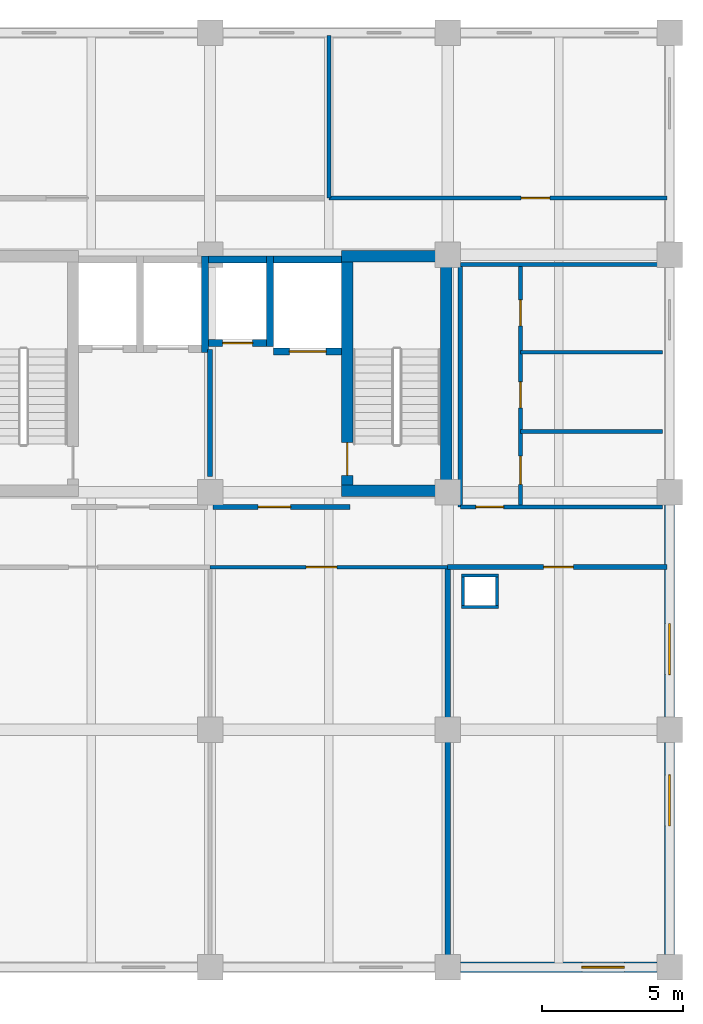
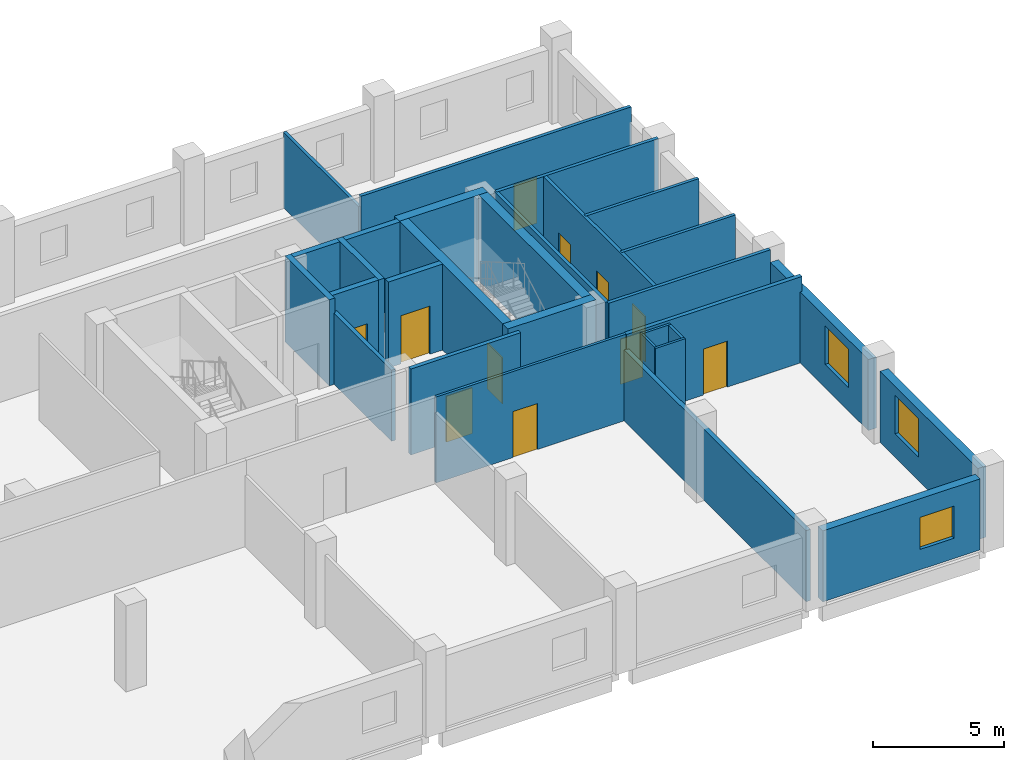
# One storey, part 38 of 40: 30 walls, 11 doors, 3 windows, 14 openings.
"""IFC4 building model written with IfcOpenShell, lengths in metres."""

from ifc_helpers import new_model, si_unit, direction, frame, frame_2d, origin, place, context, subcontext, project, spatial, rectangle, extrude, material, layer, layer_set, type_object, element, fill, save


model = new_model("IFC4")

# Units and contexts
model_context = context("Model", 3, precision=1e-05, world=origin(), true_north=direction((0.0, 1.0)))
body_context = subcontext(model_context, "Body", "Model", "MODEL_VIEW")
ifc_project = project(units=[si_unit("LENGTHUNIT", "METRE"), si_unit("AREAUNIT", "SQUARE_METRE"), si_unit("VOLUMEUNIT", "CUBIC_METRE"), si_unit("PLANEANGLEUNIT", "RADIAN"), si_unit("MASSUNIT", "GRAM", prefix="KILO")], contexts=[model_context])

# Site, building, storey
site_placement = place(None, origin())
site = spatial("IfcSite", under=ifc_project, at=site_placement, CompositionType="ELEMENT")
building_placement = place(site_placement, origin())
building = spatial("IfcBuilding", under=site, at=building_placement, Name="Brinegate Botanical Conservatory", CompositionType="ELEMENT")
storey_placement = place(building_placement, frame((0.0, 0.0, 19.199951171875)))
storey = spatial("IfcBuildingStorey", under=building, at=storey_placement, Name="L05", CompositionType="ELEMENT", Elevation=19.199951171875)

# Wall, opening, window
ifc_material_1 = material(Name="Insulated Minnan red clay brick masonry", Category="masonry")
ifc_layer_1 = layer(ifc_material_1, 0.360107421875, Name="Insulated Minnan red clay brick masonry", Category="masonry")
ifc_layer_set_1 = layer_set([ifc_layer_1], Name="Insulated Minnan red clay brick masonry")
wall_type_1 = type_object("IfcWallType", Name="Wall_EW-360B", PredefinedType="STANDARD", material=ifc_layer_set_1)
wall_1_placement = place(storey_placement, frame((163.0, 78.39990234375, 0.0), z_axis=(0.0, 0.0, 1.0), x_axis=(-1.0, 0.0, 0.0)))
wall_1 = element("IfcWall", 1, at=wall_1_placement, inside=storey, type_object=wall_type_1, Name="Tower south facade wall L05.5", PredefinedType="STANDARD", context=body_context, shape_type="SweptSolid", body=[
    extrude(rectangle(XDim=6.949951171875, YDim=0.360107421875, at=frame_2d((3.47509765625, 0.0))), origin(), (0.0, 0.0, 1.0), 3.320068359375),
])
opening_1_placement = place(wall_1_placement, frame((1.14990234375, 0.0, 0.949951171875)))
opening_1 = element("IfcOpeningElement", 2, at=opening_1_placement, cuts=wall_1, Name="Opening WN-08", PredefinedType="OPENING", context=body_context, shape_type="SweptSolid", body=[
    extrude(rectangle(XDim=1.5, YDim=1.5, at=frame_2d((0.75, 0.75))), frame((0.0, 0.18994140625, 0.0), z_axis=(0.0, -1.0, 0.0), x_axis=(1.0, 0.0, 0.0)), (0.0, 0.0, 1.0), 0.380126953125),
])
ifc_material_2 = material(Name="Thermally broken aluminium-framed Low-E glass", Category="aluminium")
window_type_1 = type_object("IfcWindowType", Name="Win_WN-08", PartitioningType="DOUBLE_PANEL_VERTICAL", PredefinedType="WINDOW", material=ifc_material_2)
window_1_placement = place(opening_1_placement, origin())
window_1 = element("IfcWindow", 3, at=window_1_placement, inside=storey, type_object=window_type_1, Name="Tower south window L05.5", OverallHeight=1.5, OverallWidth=1.5, PartitioningType="DOUBLE_PANEL_VERTICAL", PredefinedType="WINDOW", context=body_context, shape_type="SweptSolid", body=[
    extrude(rectangle(XDim=1.5, YDim=1.5, at=frame_2d((0.75, 0.75))), frame((0.0, 0.030029296875, 0.0), z_axis=(0.0, -1.0, 0.0), x_axis=(1.0, 0.0, 0.0)), (0.0, 0.0, 1.0), 0.06005859375),
])
fill(opening_1, window_1)

wall_2_placement = place(storey_placement, frame((163.449951171875, 86.35009765625, 0.0), z_axis=(0.0, 0.0, 1.0), x_axis=(0.0, -1.0, 0.0)))
wall_2 = element("IfcWall", 4, at=wall_2_placement, inside=storey, type_object=wall_type_1, Name="Tower east brick wall L05.1", PredefinedType="STANDARD", context=body_context, shape_type="SweptSolid", body=[
    extrude(rectangle(XDim=7.5, YDim=0.360107421875, at=frame_2d((3.75, 0.0))), origin(), (0.0, 0.0, 1.0), 3.320068359375),
])
opening_2_placement = place(wall_2_placement, frame((1.14990234375, 0.0, 1.10009765625)))
opening_2 = element("IfcOpeningElement", 5, at=opening_2_placement, cuts=wall_2, Name="Opening WN-05", PredefinedType="OPENING", context=body_context, shape_type="SweptSolid", body=[
    extrude(rectangle(XDim=1.800048828125, YDim=1.800048828125, at=frame_2d((0.89990234375, 0.89990234375))), frame((0.0, 0.18994140625, 0.0), z_axis=(0.0, -1.0, 0.0), x_axis=(1.0, 0.0, 0.0)), (0.0, 0.0, 1.0), 0.380126953125),
])
window_type_2 = type_object("IfcWindowType", Name="Win_WN-05", PartitioningType="DOUBLE_PANEL_VERTICAL", PredefinedType="WINDOW", material=ifc_material_2)
window_2_placement = place(opening_2_placement, origin())
window_2 = element("IfcWindow", 6, at=window_2_placement, inside=storey, type_object=window_type_2, Name="Tower east window L05.1", OverallHeight=1.800048828125, OverallWidth=1.800048828125, PartitioningType="DOUBLE_PANEL_VERTICAL", PredefinedType="WINDOW", context=body_context, shape_type="SweptSolid", body=[
    extrude(rectangle(XDim=1.800048828125, YDim=1.800048828125, at=frame_2d((0.89990234375, 0.89990234375))), frame((0.0, 0.030029296875, 0.0), z_axis=(0.0, -1.0, 0.0), x_axis=(1.0, 0.0, 0.0)), (0.0, 0.0, 1.0), 0.06005859375),
])
fill(opening_2, window_2)

wall_3_placement = place(storey_placement, frame((163.449951171875, 94.75, 0.0), z_axis=(0.0, 0.0, 1.0), x_axis=(0.0, -1.0, 0.0)))
wall_3 = element("IfcWall", 7, at=wall_3_placement, inside=storey, type_object=wall_type_1, Name="Tower east brick wall L05.2", PredefinedType="STANDARD", context=body_context, shape_type="SweptSolid", body=[
    extrude(rectangle(XDim=7.5, YDim=0.360107421875, at=frame_2d((3.75, 0.0))), origin(), (0.0, 0.0, 1.0), 3.320068359375),
])
opening_3_placement = place(wall_3_placement, frame((4.199951171875, 0.0, 1.10009765625)))
opening_3 = element("IfcOpeningElement", 8, at=opening_3_placement, cuts=wall_3, Name="Opening WN-05", PredefinedType="OPENING", context=body_context, shape_type="SweptSolid", body=[
    extrude(rectangle(XDim=1.800048828125, YDim=1.800048828125, at=frame_2d((0.89990234375, 0.89990234375))), frame((0.0, 0.18994140625, 0.0), z_axis=(0.0, -1.0, 0.0), x_axis=(1.0, 0.0, 0.0)), (0.0, 0.0, 1.0), 0.380126953125),
])
window_3_placement = place(opening_3_placement, origin())
window_3 = element("IfcWindow", 9, at=window_3_placement, inside=storey, type_object=window_type_2, Name="Tower east window L05.2", OverallHeight=1.800048828125, OverallWidth=1.800048828125, PartitioningType="DOUBLE_PANEL_VERTICAL", PredefinedType="WINDOW", context=body_context, shape_type="SweptSolid", body=[
    extrude(rectangle(XDim=1.800048828125, YDim=1.800048828125, at=frame_2d((0.89990234375, 0.89990234375))), frame((0.0, 0.030029296875, 0.0), z_axis=(0.0, -1.0, 0.0), x_axis=(1.0, 0.0, 0.0)), (0.0, 0.0, 1.0), 0.06005859375),
])
fill(opening_3, window_3)

# Walls
ifc_material_3 = material(Name="Gypsum-clad steel-stud fire-rated shaft partition", Category="steel")
ifc_layer_2 = layer(ifc_material_3, 0.10498046875, Name="Gypsum-clad steel-stud fire-rated shaft partition", Category="steel")
ifc_layer_set_2 = layer_set([ifc_layer_2], Name="Gypsum-clad steel-stud fire-rated shaft partition")
wall_type_2 = type_object("IfcWallType", Name="Wall_PW-105", PredefinedType="PARTITIONING", material=ifc_layer_set_2)
for number, where, z_axis, x_axis, name in (
    (10, (156.094970703125, 91.1474609375, 0.0), (0.0, 0.0, 1.0), (1.0, 0.0, 0.0), "Service riser shaft wall L05 S"),
    (11, (156.094970703125, 92.25244140625, 0.0), (0.0, 0.0, 1.0), (1.0, 0.0, 0.0), "Service riser shaft wall L05 N"),
):
    element("IfcWall", number, at=place(storey_placement, frame(where, z_axis=z_axis, x_axis=x_axis)), inside=storey, type_object=wall_type_2, Name=name, PredefinedType="PARTITIONING", context=body_context, shape_type="SweptSolid", body=[
        extrude(rectangle(XDim=1.31005859375, YDim=0.10498046875, at=frame_2d((0.655029296875, 0.0))), origin(), (0.0, 0.0, 1.0), 4.02001953125),
    ])
for number, where, z_axis, x_axis, name in (
    (12, (156.1474609375, 91.199951171875, 0.0), (0.0, 0.0, 1.0), (0.0, 1.0, 0.0), "Service riser shaft wall L05 W"),
    (13, (157.3525390625, 91.199951171875, 0.0), (0.0, 0.0, 1.0), (0.0, 1.0, 0.0), "Service riser shaft wall L05 E"),
):
    element("IfcWall", number, at=place(storey_placement, frame(where, z_axis=z_axis, x_axis=x_axis)), inside=storey, type_object=wall_type_2, Name=name, PredefinedType="PARTITIONING", context=body_context, shape_type="SweptSolid", body=[
        extrude(rectangle(XDim=1.0, YDim=0.10498046875, at=frame_2d((0.5, 0.0))), origin(), (0.0, 0.0, 1.0), 4.02001953125),
    ])

# Wall, opening, door
ifc_material_4 = material(Name="Gypsum-clad steel-stud partition", Category="steel")
ifc_layer_3 = layer(ifc_material_4, 0.1201171875, Name="Gypsum-clad steel-stud partition", Category="steel")
ifc_layer_set_3 = layer_set([ifc_layer_3], Name="Gypsum-clad steel-stud partition")
wall_type_3 = type_object("IfcWallType", Name="Wall_PW-120", PredefinedType="PARTITIONING", material=ifc_layer_set_3)
wall_4_placement = place(storey_placement, frame((147.199951171875, 92.550048828125, 0.0), z_axis=(0.0, 0.0, 1.0), x_axis=(1.0, 0.0, 0.0)))
wall_4 = element("IfcWall", 14, at=wall_4_placement, inside=storey, type_object=wall_type_3, Name="Interior partition P-L05-SB-S3", PredefinedType="PARTITIONING", context=body_context, shape_type="SweptSolid", body=[
    extrude(rectangle(XDim=8.400146484375, YDim=0.1201171875, at=frame_2d((4.2001953125, 0.0))), origin(), (0.0, 0.0, 1.0), 4.02001953125),
])
opening_4_placement = place(wall_4_placement, frame((3.39990234375, 0.0, 0.0)))
opening_4 = element("IfcOpeningElement", 15, at=opening_4_placement, cuts=wall_4, Name="Opening DR-01", PredefinedType="OPENING", context=body_context, shape_type="SweptSolid", body=[
    extrude(rectangle(XDim=1.080078125, YDim=2.14990234375, at=frame_2d((0.5400390625, 1.074951171875))), frame((0.0, 0.070068359375, 0.0), z_axis=(0.0, -1.0, 0.0), x_axis=(1.0, 0.0, 0.0)), (0.0, 0.0, 1.0), 0.14013671875),
])
ifc_material_5 = material(Name="Hardwood timber acoustic leaf", Category="wood")
door_type_1 = type_object("IfcDoorType", Name="Door_DR-01", OperationType="NOTDEFINED", PredefinedType="DOOR", material=ifc_material_5)
door_1_placement = place(opening_4_placement, origin())
door_1 = element("IfcDoor", 16, at=door_1_placement, inside=storey, type_object=door_type_1, Name="DR-P-L05-SB-S3-1", OperationType="SINGLE_SWING_RIGHT", OverallHeight=2.14990234375, OverallWidth=1.080078125, PredefinedType="DOOR", context=body_context, shape_type="SweptSolid", body=[
    extrude(rectangle(XDim=1.080078125, YDim=2.14990234375, at=frame_2d((0.5400390625, 1.074951171875))), frame((0.0, 0.02490234375, 0.0), z_axis=(0.0, -1.0, 0.0), x_axis=(1.0, 0.0, 0.0)), (0.0, 0.0, 1.0), 0.050048828125),
])
fill(opening_4, door_1)

# Walls
ifc_layer_4 = layer(ifc_material_4, 0.135009765625, Name="Gypsum-clad steel-stud partition", Category="steel")
ifc_layer_set_4 = layer_set([ifc_layer_4], Name="Gypsum-clad steel-stud partition")
wall_type_4 = type_object("IfcWallType", Name="Wall_PW-135", PredefinedType="PARTITIONING", material=ifc_layer_set_4)
for number, where, z_axis, x_axis, name in (
    (17, (158.179931640625, 97.35009765625, 0.0), (0.0, 0.0, 1.0), (1.0, 0.0, 0.0), "Interior partition P-L05-WCD-9735"),
    (18, (158.179931640625, 100.14990234375, 0.0), (0.0, 0.0, 1.0), (1.0, 0.0, 0.0), "Interior partition P-L05-WCD-10015"),
):
    element("IfcWall", number, at=place(storey_placement, frame(where, z_axis=z_axis, x_axis=x_axis)), inside=storey, type_object=wall_type_4, Name=name, PredefinedType="PARTITIONING", context=body_context, shape_type="SweptSolid", body=[
        extrude(rectangle(XDim=5.02001953125, YDim=0.135009765625, at=frame_2d((2.510009765625, 0.0))), origin(), (0.0, 0.0, 1.0), 4.02001953125),
    ])
wall_5_placement = place(storey_placement, frame((151.39990234375, 105.60009765625, 0.0), z_axis=(0.0, 0.0, 1.0), x_axis=(0.0, 1.0, 0.0)))
element("IfcWall", 19, at=wall_5_placement, inside=storey, type_object=wall_type_4, Name="Interior partition P-L05-NDIV-N3", PredefinedType="PARTITIONING", context=body_context, shape_type="SweptSolid", body=[
    extrude(rectangle(XDim=5.75, YDim=0.135009765625, at=frame_2d((2.875, 0.0))), origin(), (0.0, 0.0, 1.0), 3.52001953125),
])

# Wall, opening, door
ifc_material_6 = material(Name="Gypsum-clad acoustic steel-stud partition", Category="steel")
ifc_layer_5 = layer(ifc_material_6, 0.14501953125, Name="Gypsum-clad acoustic steel-stud partition", Category="steel")
ifc_layer_set_5 = layer_set([ifc_layer_5], Name="Gypsum-clad acoustic steel-stud partition")
wall_type_5 = type_object("IfcWallType", Name="Wall_PW-150", PredefinedType="PARTITIONING", material=ifc_layer_set_5)
wall_6_placement = place(storey_placement, frame((151.39990234375, 105.60009765625, 0.0), z_axis=(0.0, 0.0, 1.0), x_axis=(1.0, 0.0, 0.0)))
wall_6 = element("IfcWall", 20, at=wall_6_placement, inside=storey, type_object=wall_type_5, Name="Interior partition P-L05-NB-N3", PredefinedType="PARTITIONING", context=body_context, shape_type="SweptSolid", body=[
    extrude(rectangle(XDim=11.9501953125, YDim=0.14501953125, at=frame_2d((5.97509765625, 0.0))), origin(), (0.0, 0.0, 1.0), 4.02001953125),
])
opening_5_placement = place(wall_6_placement, frame((6.800048828125, 0.0, 0.0)))
opening_5 = element("IfcOpeningElement", 21, at=opening_5_placement, cuts=wall_6, Name="Opening DR-02", PredefinedType="OPENING", context=body_context, shape_type="SweptSolid", body=[
    extrude(rectangle(XDim=1.02001953125, YDim=2.14990234375, at=frame_2d((0.510009765625, 1.074951171875))), frame((0.0, 0.08251953125, 0.0), z_axis=(0.0, -1.0, 0.0), x_axis=(1.0, 0.0, 0.0)), (0.0, 0.0, 1.0), 0.1650390625),
])
ifc_material_7 = material(Name="Phenolic-faced laboratory timber leaf", Category="wood")
door_type_2 = type_object("IfcDoorType", Name="Door_DR-02", OperationType="NOTDEFINED", PredefinedType="DOOR", material=ifc_material_7)
door_2_placement = place(opening_5_placement, origin())
door_2 = element("IfcDoor", 22, at=door_2_placement, inside=storey, type_object=door_type_2, Name="DR-P-L05-NB-N3-1", OperationType="SINGLE_SWING_LEFT", OverallHeight=2.14990234375, OverallWidth=1.02001953125, PredefinedType="DOOR", context=body_context, shape_type="SweptSolid", body=[
    extrude(rectangle(XDim=1.02001953125, YDim=2.14990234375, at=frame_2d((0.510009765625, 1.074951171875))), frame((0.0, 0.02490234375, 0.0), z_axis=(0.0, -1.0, 0.0), x_axis=(1.0, 0.0, 0.0)), (0.0, 0.0, 1.0), 0.050048828125),
])
fill(opening_5, door_2)

ifc_material_8 = material(Name="Moisture-resistant cement-board partition", Category="gypsum")
ifc_layer_6 = layer(ifc_material_8, 0.14990234375, Name="Moisture-resistant cement-board partition", Category="gypsum")
ifc_layer_set_6 = layer_set([ifc_layer_6], Name="Moisture-resistant cement-board partition")
wall_type_6 = type_object("IfcWallType", Name="Wall_PW-150W", PredefinedType="PARTITIONING", material=ifc_layer_set_6)
wall_7_placement = place(storey_placement, frame((156.050048828125, 94.679931640625, 0.0), z_axis=(0.0, 0.0, 1.0), x_axis=(1.0, 0.0, 0.0)))
wall_7 = element("IfcWall", 23, at=wall_7_placement, inside=storey, type_object=wall_type_6, Name="Interior partition P-L05-WCS", PredefinedType="PARTITIONING", context=body_context, shape_type="SweptSolid", body=[
    extrude(rectangle(XDim=7.14990234375, YDim=0.14990234375, at=frame_2d((3.574951171875, 0.0))), origin(), (0.0, 0.0, 1.0), 4.02001953125),
])
opening_6_placement = place(wall_7_placement, frame((0.550048828125, 0.0, 0.0)))
opening_6 = element("IfcOpeningElement", 24, at=opening_6_placement, cuts=wall_7, Name="Opening DR-03", PredefinedType="OPENING", context=body_context, shape_type="SweptSolid", body=[
    extrude(rectangle(XDim=0.97998046875, YDim=2.1201171875, at=frame_2d((0.489990234375, 1.06005859375))), frame((0.0, 0.0849609375, 0.0), z_axis=(0.0, -1.0, 0.0), x_axis=(1.0, 0.0, 0.0)), (0.0, 0.0, 1.0), 0.169921875),
])
ifc_material_9 = material(Name="Steel-core hardwood smoke-sealed fire door", Category="steel")
door_type_3 = type_object("IfcDoorType", Name="Door_DR-03", OperationType="NOTDEFINED", PredefinedType="DOOR", material=ifc_material_9)
door_3_placement = place(opening_6_placement, origin())
door_3 = element("IfcDoor", 25, at=door_3_placement, inside=storey, type_object=door_type_3, Name="DR-P-L05-WCS-1", OperationType="SINGLE_SWING_LEFT", OverallHeight=2.1201171875, OverallWidth=0.97998046875, PredefinedType="DOOR", context=body_context, shape_type="SweptSolid", body=[
    extrude(rectangle(XDim=0.97998046875, YDim=2.1201171875, at=frame_2d((0.489990234375, 1.06005859375))), frame((0.0, 0.02490234375, 0.0), z_axis=(0.0, -1.0, 0.0), x_axis=(1.0, 0.0, 0.0)), (0.0, 0.0, 1.0), 0.050048828125),
])
fill(opening_6, door_3)

# Wall, openings, doors
wall_8_placement = place(storey_placement, frame((158.179931640625, 94.679931640625, 0.0), z_axis=(0.0, 0.0, 1.0), x_axis=(0.0, 1.0, 0.0)))
wall_8 = element("IfcWall", 26, at=wall_8_placement, inside=storey, type_object=wall_type_6, Name="Interior partition P-L05-WCW", PredefinedType="PARTITIONING", context=body_context, shape_type="SweptSolid", body=[
    extrude(rectangle(XDim=8.570068359375, YDim=0.14990234375, at=frame_2d((4.28515625, 0.0))), origin(), (0.0, 0.0, 1.0), 4.02001953125),
])
opening_7_placement = place(wall_8_placement, frame((0.800048828125, 0.0, 0.0)))
opening_7 = element("IfcOpeningElement", 27, at=opening_7_placement, cuts=wall_8, Name="Opening DR-ACC", PredefinedType="OPENING", context=body_context, shape_type="SweptSolid", body=[
    extrude(rectangle(XDim=1.0, YDim=2.1201171875, at=frame_2d((0.5, 1.06005859375))), frame((0.0, 0.0849609375, 0.0), z_axis=(0.0, -1.0, 0.0), x_axis=(1.0, 0.0, 0.0)), (0.0, 0.0, 1.0), 0.169921875),
])
opening_8_placement = place(wall_8_placement, frame((3.5, 0.0, 0.0)))
opening_8 = element("IfcOpeningElement", 28, at=opening_8_placement, cuts=wall_8, Name="Opening DR-04", PredefinedType="OPENING", context=body_context, shape_type="SweptSolid", body=[
    extrude(rectangle(XDim=0.919921875, YDim=2.10009765625, at=frame_2d((0.4599609375, 1.050048828125))), frame((0.0, 0.0849609375, 0.0), z_axis=(0.0, -1.0, 0.0), x_axis=(1.0, 0.0, 0.0)), (0.0, 0.0, 1.0), 0.169921875),
])
opening_9_placement = place(wall_8_placement, frame((6.39990234375, 0.0, 0.0)))
opening_9 = element("IfcOpeningElement", 29, at=opening_9_placement, cuts=wall_8, Name="Opening DR-04", PredefinedType="OPENING", context=body_context, shape_type="SweptSolid", body=[
    extrude(rectangle(XDim=0.919921875, YDim=2.10009765625, at=frame_2d((0.4599609375, 1.050048828125))), frame((0.0, 0.0849609375, 0.0), z_axis=(0.0, -1.0, 0.0), x_axis=(1.0, 0.0, 0.0)), (0.0, 0.0, 1.0), 0.169921875),
])
ifc_material_10 = material(Name="Moisture-resistant laminate timber leaf", Category="wood")
door_type_4 = type_object("IfcDoorType", Name="Door_DR-04", OperationType="NOTDEFINED", PredefinedType="DOOR", material=ifc_material_10)
door_4_placement = place(opening_8_placement, origin())
door_4 = element("IfcDoor", 30, at=door_4_placement, inside=storey, type_object=door_type_4, Name="DR-P-L05-WCW-2", OperationType="SINGLE_SWING_RIGHT", OverallHeight=2.10009765625, OverallWidth=0.919921875, PredefinedType="DOOR", context=body_context, shape_type="SweptSolid", body=[
    extrude(rectangle(XDim=0.919921875, YDim=2.10009765625, at=frame_2d((0.4599609375, 1.050048828125))), frame((0.0, 0.02490234375, 0.0), z_axis=(0.0, -1.0, 0.0), x_axis=(1.0, 0.0, 0.0)), (0.0, 0.0, 1.0), 0.050048828125),
])
fill(opening_8, door_4)
door_5_placement = place(opening_9_placement, origin())
door_5 = element("IfcDoor", 31, at=door_5_placement, inside=storey, type_object=door_type_4, Name="DR-P-L05-WCW-3", OperationType="SINGLE_SWING_LEFT", OverallHeight=2.10009765625, OverallWidth=0.919921875, PredefinedType="DOOR", context=body_context, shape_type="SweptSolid", body=[
    extrude(rectangle(XDim=0.919921875, YDim=2.10009765625, at=frame_2d((0.4599609375, 1.050048828125))), frame((0.0, 0.02490234375, 0.0), z_axis=(0.0, -1.0, 0.0), x_axis=(1.0, 0.0, 0.0)), (0.0, 0.0, 1.0), 0.050048828125),
])
fill(opening_9, door_5)
ifc_material_11 = material(Name="Moisture-resistant barrier-free timber leaf", Category="wood")
door_type_5 = type_object("IfcDoorType", Name="Door_DR-ACC", OperationType="NOTDEFINED", PredefinedType="DOOR", material=ifc_material_11)
door_6_placement = place(opening_7_placement, origin())
door_6 = element("IfcDoor", 32, at=door_6_placement, inside=storey, type_object=door_type_5, Name="DR-P-L05-WCW-1", OperationType="SINGLE_SWING_LEFT", OverallHeight=2.1201171875, OverallWidth=1.0, PredefinedType="DOOR", context=body_context, shape_type="SweptSolid", body=[
    extrude(rectangle(XDim=1.0, YDim=2.1201171875, at=frame_2d((0.5, 1.06005859375))), frame((0.0, 0.02490234375, 0.0), z_axis=(0.0, -1.0, 0.0), x_axis=(1.0, 0.0, 0.0)), (0.0, 0.0, 1.0), 0.050048828125),
])
fill(opening_7, door_6)

# Walls
wall_9_placement = place(storey_placement, frame((156.050048828125, 103.25, 0.0), z_axis=(0.0, 0.0, 1.0), x_axis=(1.0, 0.0, 0.0)))
element("IfcWall", 33, at=wall_9_placement, inside=storey, type_object=wall_type_6, Name="Interior partition P-L05-WCN", PredefinedType="PARTITIONING", context=body_context, shape_type="SweptSolid", body=[
    extrude(rectangle(XDim=7.14990234375, YDim=0.14990234375, at=frame_2d((3.574951171875, 0.0))), origin(), (0.0, 0.0, 1.0), 4.02001953125),
])
wall_10_placement = place(storey_placement, frame((156.050048828125, 94.679931640625, 0.0), z_axis=(0.0, 0.0, 1.0), x_axis=(0.0, 1.0, 0.0)))
element("IfcWall", 34, at=wall_10_placement, inside=storey, type_object=wall_type_6, Name="Interior partition P-L05-WCWW", PredefinedType="PARTITIONING", context=body_context, shape_type="SweptSolid", body=[
    extrude(rectangle(XDim=8.570068359375, YDim=0.14990234375, at=frame_2d((4.28515625, 0.0))), origin(), (0.0, 0.0, 1.0), 4.02001953125),
])

# Wall, opening, door
ifc_material_12 = material(Name="Autoclaved aerated concrete C40/50 blockwork", Category="masonry")
ifc_layer_7 = layer(ifc_material_12, 0.179931640625, Name="Autoclaved aerated concrete C40/50 blockwork", Category="masonry")
ifc_layer_set_7 = layer_set([ifc_layer_7], Name="Autoclaved aerated concrete C40/50 blockwork")
wall_type_7 = type_object("IfcWallType", Name="Wall_PW-180F", PredefinedType="STANDARD", material=ifc_layer_set_7)
wall_11_placement = place(storey_placement, frame((147.300048828125, 94.679931640625, 0.0), z_axis=(0.0, 0.0, 1.0), x_axis=(1.0, 0.0, 0.0)))
wall_11 = element("IfcWall", 35, at=wall_11_placement, inside=storey, type_object=wall_type_7, Name="Interior partition P-L05-CORE-PAX", PredefinedType="STANDARD", context=body_context, shape_type="SweptSolid", body=[
    extrude(rectangle(XDim=4.849853515625, YDim=0.179931640625, at=frame_2d((2.4248046875, 0.0))), origin(), (0.0, 0.0, 1.0), 4.02001953125),
])
opening_10_placement = place(wall_11_placement, frame((1.60009765625, 0.0, 0.0)))
opening_10 = element("IfcOpeningElement", 36, at=opening_10_placement, cuts=wall_11, Name="Opening FD-B1", PredefinedType="OPENING", context=body_context, shape_type="SweptSolid", body=[
    extrude(rectangle(XDim=1.14990234375, YDim=2.14990234375, at=frame_2d((0.574951171875, 1.074951171875))), frame((0.0, 0.099853515625, 0.0), z_axis=(0.0, -1.0, 0.0), x_axis=(1.0, 0.0, 0.0)), (0.0, 0.0, 1.0), 0.199951171875),
])
ifc_material_13 = material(Name="Steel smoke-proof fire door assembly", Category="steel")
door_type_6 = type_object("IfcDoorType", Name="Door_FD-B1", OperationType="NOTDEFINED", PredefinedType="DOOR", material=ifc_material_13)
door_7_placement = place(opening_10_placement, origin())
door_7 = element("IfcDoor", 37, at=door_7_placement, inside=storey, type_object=door_type_6, Name="DR-P-L05-CORE-PAX-1", OperationType="SINGLE_SWING_RIGHT", OverallHeight=2.14990234375, OverallWidth=1.14990234375, PredefinedType="DOOR", context=body_context, shape_type="SweptSolid", body=[
    extrude(rectangle(XDim=1.14990234375, YDim=2.14990234375, at=frame_2d((0.574951171875, 1.074951171875))), frame((0.0, 0.02490234375, 0.0), z_axis=(0.0, -1.0, 0.0), x_axis=(1.0, 0.0, 0.0)), (0.0, 0.0, 1.0), 0.050048828125),
])
fill(opening_10, door_7)

# Wall
wall_12_placement = place(storey_placement, frame((147.199951171875, 95.75, 0.0), z_axis=(0.0, 0.0, 1.0), x_axis=(0.0, 1.0, 0.0)))
element("IfcWall", 38, at=wall_12_placement, inside=storey, type_object=wall_type_7, Name="Interior partition P-L05-CORE-DIV", PredefinedType="STANDARD", context=body_context, shape_type="SweptSolid", body=[
    extrude(rectangle(XDim=4.5, YDim=0.179931640625, at=frame_2d((2.25, 0.0))), origin(), (0.0, 0.0, 1.0), 3.320068359375),
])

# Wall, opening, door
wall_13_placement = place(storey_placement, frame((155.60009765625, 92.550048828125, 0.0), z_axis=(0.0, 0.0, 1.0), x_axis=(1.0, 0.0, 0.0)))
wall_13 = element("IfcWall", 39, at=wall_13_placement, inside=storey, type_object=wall_type_7, Name="Interior partition P-L05-SB-S4", PredefinedType="STANDARD", context=body_context, shape_type="SweptSolid", body=[
    extrude(rectangle(XDim=7.75, YDim=0.179931640625, at=frame_2d((3.875, 0.0))), origin(), (0.0, 0.0, 1.0), 4.02001953125),
])
opening_11_placement = place(wall_13_placement, frame((3.39990234375, 0.0, 0.0)))
opening_11 = element("IfcOpeningElement", 40, at=opening_11_placement, cuts=wall_13, Name="Opening FD-B2", PredefinedType="OPENING", context=body_context, shape_type="SweptSolid", body=[
    extrude(rectangle(XDim=1.050048828125, YDim=2.14990234375, at=frame_2d((0.52490234375, 1.074951171875))), frame((0.0, 0.099853515625, 0.0), z_axis=(0.0, -1.0, 0.0), x_axis=(1.0, 0.0, 0.0)), (0.0, 0.0, 1.0), 0.199951171875),
])
ifc_material_14 = material(Name="Steel fire door assembly", Category="steel")
door_type_7 = type_object("IfcDoorType", Name="Door_FD-B2", OperationType="NOTDEFINED", PredefinedType="DOOR", material=ifc_material_14)
door_8_placement = place(opening_11_placement, origin())
door_8 = element("IfcDoor", 41, at=door_8_placement, inside=storey, type_object=door_type_7, Name="DR-P-L05-SB-S4-1", OperationType="SINGLE_SWING_LEFT", OverallHeight=2.14990234375, OverallWidth=1.050048828125, PredefinedType="DOOR", context=body_context, shape_type="SweptSolid", body=[
    extrude(rectangle(XDim=1.050048828125, YDim=2.14990234375, at=frame_2d((0.52490234375, 1.074951171875))), frame((0.0, 0.02490234375, 0.0), z_axis=(0.0, -1.0, 0.0), x_axis=(1.0, 0.0, 0.0)), (0.0, 0.0, 1.0), 0.050048828125),
])
fill(opening_11, door_8)

# Walls
ifc_layer_8 = layer(ifc_material_12, 0.199951171875, Name="Autoclaved aerated concrete C40/50 blockwork", Category="masonry")
ifc_layer_set_8 = layer_set([ifc_layer_8], Name="Autoclaved aerated concrete C40/50 blockwork")
wall_type_8 = type_object("IfcWallType", Name="Wall_PW-200F", PredefinedType="SOLIDWALL", material=ifc_layer_set_8)
wall_14_placement = place(storey_placement, frame((155.60009765625, 78.550048828125, 0.0), z_axis=(0.0, 0.0, 1.0), x_axis=(0.0, 1.0, 0.0)))
element("IfcWall", 42, at=wall_14_placement, inside=storey, type_object=wall_type_8, Name="Interior partition P-L05-SDIV-S4", PredefinedType="SOLIDWALL", context=body_context, shape_type="SweptSolid", body=[
    extrude(rectangle(XDim=14.0, YDim=0.199951171875, at=frame_2d((7.0, 0.0))), origin(), (0.0, 0.0, 1.0), 3.320068359375),
])
ifc_material_15 = material(Name="Concrete C40/50", Category="concrete")
ifc_layer_9 = layer(ifc_material_15, 0.25, Name="Concrete C40/50", Category="concrete")
ifc_layer_set_9 = layer_set([ifc_layer_9], Name="Concrete C40/50")
wall_type_9 = type_object("IfcWallType", Name="Wall_SW-250", PredefinedType="SHEAR", material=ifc_layer_set_9)
wall_15_placement = place(storey_placement, frame((147.02490234375, 100.14990234375, 0.0), z_axis=(0.0, 0.0, 1.0), x_axis=(0.0, 1.0, 0.0)))
element("IfcWall", 43, at=wall_15_placement, inside=storey, type_object=wall_type_9, Name="Lift shaft LF2 shear wall L05 E", PredefinedType="SHEAR", context=body_context, shape_type="SweptSolid", body=[
    extrude(rectangle(XDim=3.400146484375, YDim=0.25, at=frame_2d((1.7001953125, 0.0))), origin(), (0.0, 0.0, 1.0), 4.02001953125),
])

# Wall, opening, door
wall_16_placement = place(storey_placement, frame((147.14990234375, 100.47509765625, 0.0), z_axis=(0.0, 0.0, 1.0), x_axis=(1.0, 0.0, 0.0)))
wall_16 = element("IfcWall", 44, at=wall_16_placement, inside=storey, type_object=wall_type_9, Name="Lift shaft LF3 shear wall L05 S", PredefinedType="SHEAR", context=body_context, shape_type="SweptSolid", body=[
    extrude(rectangle(XDim=2.050048828125, YDim=0.25, at=frame_2d((1.02490234375, 0.0))), origin(), (0.0, 0.0, 1.0), 4.02001953125),
])
opening_12_placement = place(wall_16_placement, frame((0.4951171875, 0.0, 0.0)))
opening_12 = element("IfcOpeningElement", 45, at=opening_12_placement, cuts=wall_16, Name="Opening LD-03", PredefinedType="OPENING", context=body_context, shape_type="SweptSolid", body=[
    extrude(rectangle(XDim=1.06005859375, YDim=2.14990234375, at=frame_2d((0.530029296875, 1.074951171875))), frame((0.0, 0.135009765625, 0.0), z_axis=(0.0, -1.0, 0.0), x_axis=(1.0, 0.0, 0.0)), (0.0, 0.0, 1.0), 0.27001953125),
])
ifc_material_16 = material(Name="Brushed stainless steel S355 landing door", Category="steel")
door_type_8 = type_object("IfcDoorType", Name="Door_LD-03", OperationType="SLIDING_TO_LEFT", PredefinedType="DOOR", material=ifc_material_16)
door_9_placement = place(opening_12_placement, origin())
door_9 = element("IfcDoor", 46, at=door_9_placement, inside=storey, type_object=door_type_8, Name="LD-LF3-L05", OperationType="SLIDING_TO_LEFT", OverallHeight=2.14990234375, OverallWidth=1.06005859375, PredefinedType="DOOR", context=body_context, shape_type="SweptSolid", body=[
    extrude(rectangle(XDim=1.06005859375, YDim=2.14990234375, at=frame_2d((0.530029296875, 1.074951171875))), frame((0.0, 0.02490234375, 0.0), z_axis=(0.0, -1.0, 0.0), x_axis=(1.0, 0.0, 0.0)), (0.0, 0.0, 1.0), 0.050048828125),
])
fill(opening_12, door_9)

# Walls
wall_17_placement = place(storey_placement, frame((147.14990234375, 103.425048828125, 0.0), z_axis=(0.0, 0.0, 1.0), x_axis=(1.0, 0.0, 0.0)))
element("IfcWall", 47, at=wall_17_placement, inside=storey, type_object=wall_type_9, Name="Lift shaft LF3 shear wall L05 N", PredefinedType="SHEAR", context=body_context, shape_type="SweptSolid", body=[
    extrude(rectangle(XDim=2.050048828125, YDim=0.25, at=frame_2d((1.02490234375, 0.0))), origin(), (0.0, 0.0, 1.0), 4.02001953125),
])
wall_18_placement = place(storey_placement, frame((149.324951171875, 100.35009765625, 0.0), z_axis=(0.0, 0.0, 1.0), x_axis=(0.0, 1.0, 0.0)))
element("IfcWall", 48, at=wall_18_placement, inside=storey, type_object=wall_type_9, Name="Lift shaft LF3 shear wall L05 E", PredefinedType="SHEAR", context=body_context, shape_type="SweptSolid", body=[
    extrude(rectangle(XDim=3.199951171875, YDim=0.25, at=frame_2d((1.60009765625, 0.0))), origin(), (0.0, 0.0, 1.0), 4.02001953125),
])

# Wall, opening, door
wall_19_placement = place(storey_placement, frame((149.449951171875, 100.175048828125, 0.0), z_axis=(0.0, 0.0, 1.0), x_axis=(1.0, 0.0, 0.0)))
wall_19 = element("IfcWall", 49, at=wall_19_placement, inside=storey, type_object=wall_type_9, Name="Lift shaft LF4 shear wall L05 S", PredefinedType="SHEAR", context=body_context, shape_type="SweptSolid", body=[
    extrude(rectangle(XDim=2.400146484375, YDim=0.25, at=frame_2d((1.2001953125, 0.0))), origin(), (0.0, 0.0, 1.0), 4.02001953125),
])
opening_13_placement = place(wall_19_placement, frame((0.550048828125, 0.0, 0.0)))
opening_13 = element("IfcOpeningElement", 50, at=opening_13_placement, cuts=wall_19, Name="Opening LD-04", PredefinedType="OPENING", context=body_context, shape_type="SweptSolid", body=[
    extrude(rectangle(XDim=1.300048828125, YDim=2.25, at=frame_2d((0.64990234375, 1.125))), frame((0.0, 0.135009765625, 0.0), z_axis=(0.0, -1.0, 0.0), x_axis=(1.0, 0.0, 0.0)), (0.0, 0.0, 1.0), 0.27001953125),
])
door_type_9 = type_object("IfcDoorType", Name="Door_LD-04", OperationType="SLIDING_TO_LEFT", PredefinedType="DOOR", material=ifc_material_16)
door_10_placement = place(opening_13_placement, origin())
door_10 = element("IfcDoor", 51, at=door_10_placement, inside=storey, type_object=door_type_9, Name="LD-LF4-L05", OperationType="SLIDING_TO_LEFT", OverallHeight=2.25, OverallWidth=1.300048828125, PredefinedType="DOOR", context=body_context, shape_type="SweptSolid", body=[
    extrude(rectangle(XDim=1.300048828125, YDim=2.25, at=frame_2d((0.64990234375, 1.125))), frame((0.0, 0.02490234375, 0.0), z_axis=(0.0, -1.0, 0.0), x_axis=(1.0, 0.0, 0.0)), (0.0, 0.0, 1.0), 0.050048828125),
])
fill(opening_13, door_10)

# Walls
wall_20_placement = place(storey_placement, frame((149.449951171875, 103.425048828125, 0.0), z_axis=(0.0, 0.0, 1.0), x_axis=(1.0, 0.0, 0.0)))
element("IfcWall", 52, at=wall_20_placement, inside=storey, type_object=wall_type_9, Name="Lift shaft LF4 shear wall L05 N", PredefinedType="SHEAR", context=body_context, shape_type="SweptSolid", body=[
    extrude(rectangle(XDim=2.400146484375, YDim=0.25, at=frame_2d((1.2001953125, 0.0))), origin(), (0.0, 0.0, 1.0), 4.02001953125),
])
ifc_material_17 = material(Name="Concrete C50/60", Category="concrete")
ifc_layer_10 = layer(ifc_material_17, 0.39990234375, Name="Concrete C50/60", Category="concrete")
ifc_layer_set_10 = layer_set([ifc_layer_10], Name="Concrete C50/60")
wall_type_10 = type_object("IfcWallType", Name="Wall_SW-400", PredefinedType="SHEAR", material=ifc_layer_set_10)
for number, where, z_axis, x_axis, name in (
    (53, (151.85009765625, 95.25, 0.0), (0.0, 0.0, 1.0), (1.0, 0.0, 0.0), "Stairwell ST2 shear wall L05 S"),
    (54, (151.85009765625, 103.550048828125, 0.0), (0.0, 0.0, 1.0), (1.0, 0.0, 0.0), "Stairwell ST2 shear wall L05 N"),
):
    element("IfcWall", number, at=place(storey_placement, frame(where, z_axis=z_axis, x_axis=x_axis)), inside=storey, type_object=wall_type_10, Name=name, PredefinedType="SHEAR", context=body_context, shape_type="SweptSolid", body=[
        extrude(rectangle(XDim=3.89990234375, YDim=0.39990234375, at=frame_2d((1.949951171875, 0.0))), origin(), (0.0, 0.0, 1.0), 4.02001953125),
    ])

# Wall, opening, door
wall_21_placement = place(storey_placement, frame((152.050048828125, 95.449951171875, 0.0), z_axis=(0.0, 0.0, 1.0), x_axis=(0.0, 1.0, 0.0)))
wall_21 = element("IfcWall", 55, at=wall_21_placement, inside=storey, type_object=wall_type_10, Name="Stairwell ST2 shear wall L05 W", PredefinedType="SHEAR", context=body_context, shape_type="SweptSolid", body=[
    extrude(rectangle(XDim=7.900146484375, YDim=0.39990234375, at=frame_2d((3.9501953125, 0.0))), origin(), (0.0, 0.0, 1.0), 4.02001953125),
])
opening_14_placement = place(wall_21_placement, frame((0.35009765625, 0.0, 0.0)))
opening_14 = element("IfcOpeningElement", 56, at=opening_14_placement, cuts=wall_21, Name="Opening FD-B1", PredefinedType="OPENING", context=body_context, shape_type="SweptSolid", body=[
    extrude(rectangle(XDim=1.14990234375, YDim=2.14990234375, at=frame_2d((0.574951171875, 1.074951171875))), frame((0.0, 0.2099609375, 0.0), z_axis=(0.0, -1.0, 0.0), x_axis=(1.0, 0.0, 0.0)), (0.0, 0.0, 1.0), 0.419921875),
])
door_11_placement = place(opening_14_placement, origin())
door_11 = element("IfcDoor", 57, at=door_11_placement, inside=storey, type_object=door_type_6, Name="DR-ST-ST2-L05", OperationType="SINGLE_SWING_LEFT", OverallHeight=2.14990234375, OverallWidth=1.14990234375, PredefinedType="DOOR", context=body_context, shape_type="SweptSolid", body=[
    extrude(rectangle(XDim=1.14990234375, YDim=2.14990234375, at=frame_2d((0.574951171875, 1.074951171875))), frame((0.0, 0.02490234375, 0.0), z_axis=(0.0, -1.0, 0.0), x_axis=(1.0, 0.0, 0.0)), (0.0, 0.0, 1.0), 0.050048828125),
])
fill(opening_14, door_11)

# Wall
wall_22_placement = place(storey_placement, frame((155.550048828125, 95.449951171875, 0.0), z_axis=(0.0, 0.0, 1.0), x_axis=(0.0, 1.0, 0.0)))
element("IfcWall", 58, at=wall_22_placement, inside=storey, type_object=wall_type_10, Name="Stairwell ST2 shear wall L05 E", PredefinedType="SHEAR", context=body_context, shape_type="SweptSolid", body=[
    extrude(rectangle(XDim=7.900146484375, YDim=0.39990234375, at=frame_2d((3.9501953125, 0.0))), origin(), (0.0, 0.0, 1.0), 4.02001953125),
])

save(model, "model.ifc")
